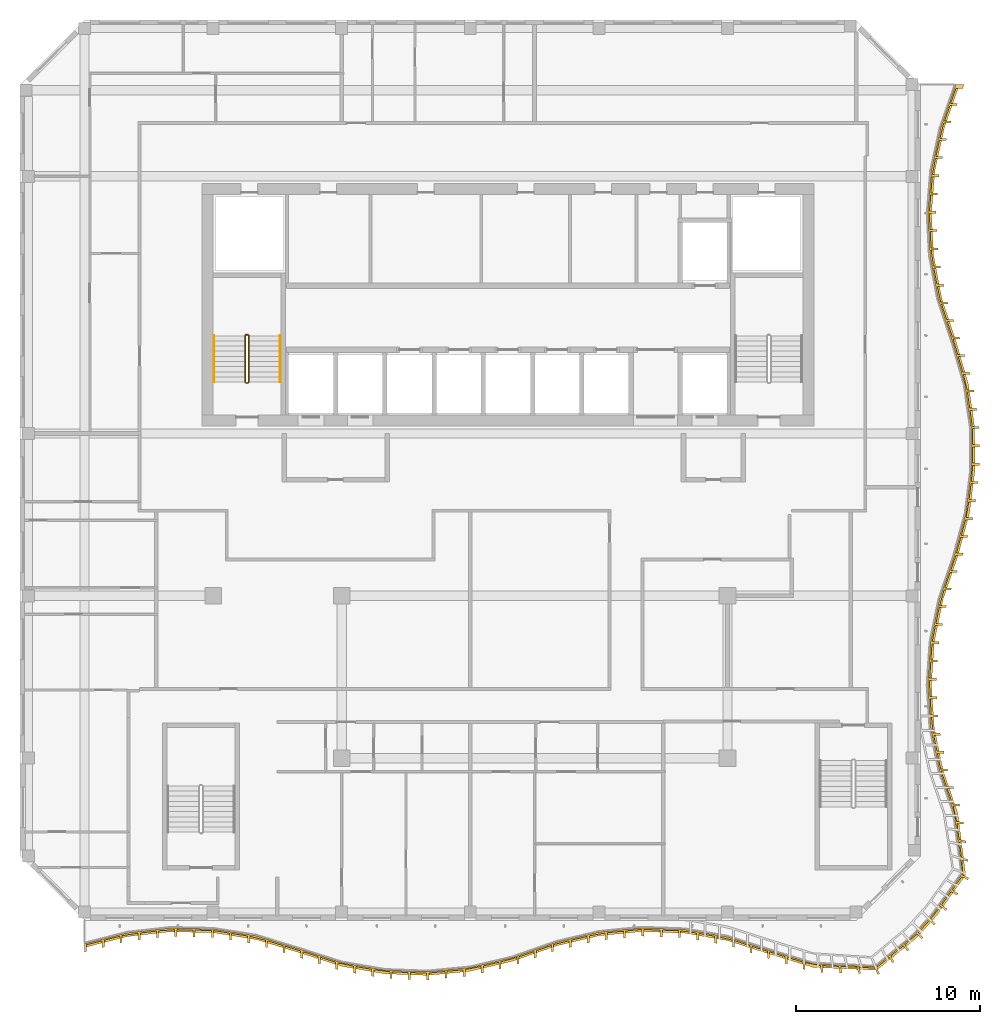
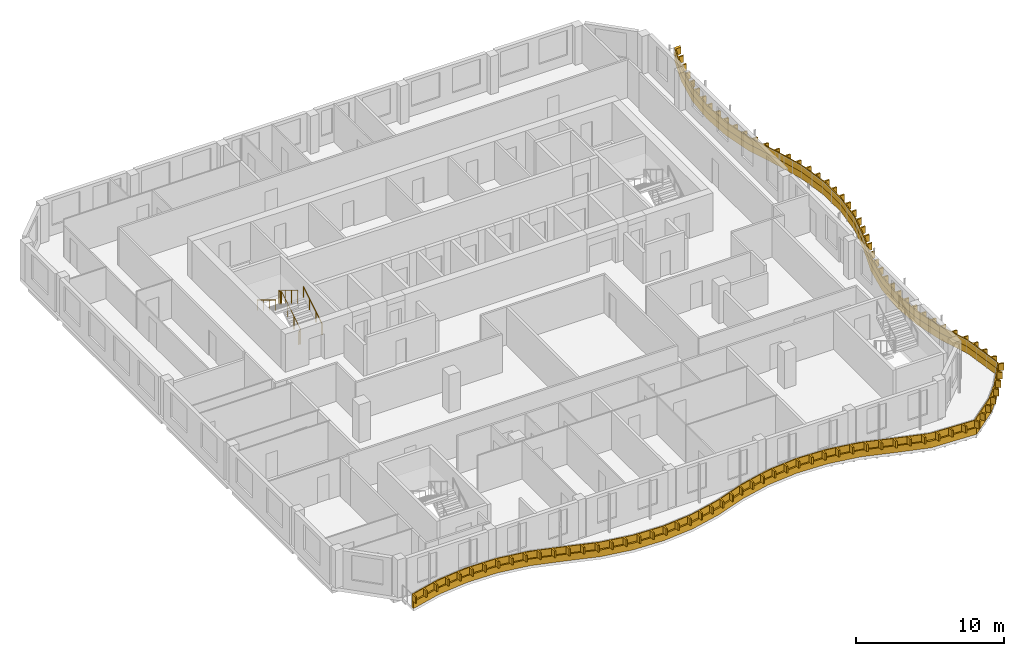
# One storey, part 13 of 16: 3 railings, 2 shading devices.
"""IFC4 building model written with IfcOpenShell, lengths in metres."""

from ifc_helpers import new_model, si_unit, direction, frame, origin, origin_2d, place, context, subcontext, project, spatial, polyline, circle, outline, extrude, source, transform, mapped, material, layer, layer_set, type_object, element, save


model = new_model("IFC4")

# Units and contexts
model_context = context("Model", 3, precision=1e-05, world=origin(), true_north=direction((0.0, 1.0)))
body_context = subcontext(model_context, "Body", "Model", "MODEL_VIEW")
ifc_project = project(units=[si_unit("LENGTHUNIT", "METRE"), si_unit("AREAUNIT", "SQUARE_METRE"), si_unit("VOLUMEUNIT", "CUBIC_METRE"), si_unit("PLANEANGLEUNIT", "RADIAN"), si_unit("MASSUNIT", "GRAM", prefix="KILO")], contexts=[model_context])

# Site, building, storey
site_placement = place(None, origin())
site = spatial("IfcSite", under=ifc_project, at=site_placement, CompositionType="ELEMENT")
building_placement = place(site_placement, origin())
building = spatial("IfcBuilding", under=site, at=building_placement, Name="Kilnfold Tower and Market Hall", CompositionType="ELEMENT")
storey_placement = place(building_placement, frame((0.0, 0.0, 284.0)))
storey = spatial("IfcBuildingStorey", under=building, at=storey_placement, Name="L70", CompositionType="ELEMENT", Elevation=284.0)

# Railings
ifc_material_1 = material(Name="Stainless steel 316", Category="steel")
railing_type_1 = type_object("IfcRailingType", Name="CORE STAIR GUARD 1100", PredefinedType="GUARDRAIL", material=ifc_material_1)
railing_1_placement = place(storey_placement, frame((-13.199951171875, 10.75, 0.0)))
element("IfcRailing", 1, at=railing_1_placement, inside=storey, type_object=railing_type_1, Name="L70 ST1 stair guard 1", PredefinedType="GUARDRAIL", context=body_context, shape_type="SweptSolid", body=[
    extrude(circle(Radius=0.02392578125, at=origin_2d()), frame((0.0, 0.0, 1.076171875), z_axis=(1.0, 0.0, 0.0), x_axis=(0.0, 1.0, 0.0)), (0.0, 0.0, 1.0), 0.099853515625),
    extrude(circle(Radius=0.02392578125, at=origin_2d()), frame((0.099853515625, 0.0, 1.076171875), z_axis=(0.271895245746, 0.271895245746, 0.923117517265), x_axis=(-0.707106781187, 0.707106781187, 0.0)), (0.0, 0.0, 1.0), 0.18408203125),
    extrude(circle(Radius=0.02392578125, at=origin_2d()), frame((0.14990234375, 0.050048828125, 1.24609375), z_axis=(0.0, 0.85478489116, 0.518982456201), x_axis=(-1.0, 0.0, 0.0)), (0.0, 0.0, 1.0), 2.9482421875),
    extrude(circle(Radius=0.02392578125, at=origin_2d()), frame((0.14990234375, 2.570068359375, 2.77587890625), z_axis=(-0.707106781187, 0.707106781187, 0.0), x_axis=(-0.707106781187, -0.707106781187, 0.0)), (0.0, 0.0, 1.0), 0.07080078125),
    extrude(circle(Radius=0.02392578125, at=origin_2d()), frame((0.099853515625, 2.6201171875, 2.77587890625), z_axis=(-1.0, 0.0, 0.0), x_axis=(0.0, -1.0, 0.0)), (0.0, 0.0, 1.0), 0.099853515625),
    extrude(circle(Radius=0.02392578125, at=origin_2d()), frame((0.0, 2.6201171875, 2.77587890625), z_axis=(-0.271562723297, -0.271562723297, 0.923313259209), x_axis=(0.707106781187, -0.707106781187, 0.0)), (0.0, 0.0, 1.0), 0.184326171875),
    extrude(circle(Radius=0.02392578125, at=origin_2d()), frame((-0.050048828125, 2.570068359375, 2.9462890625), z_axis=(0.0, -0.854821627497, 0.518921945155), x_axis=(1.0, 0.0, 0.0)), (0.0, 0.0, 1.0), 2.947998046875),
    extrude(circle(Radius=0.02099609375, at=origin_2d()), origin(), (0.0, 0.0, 1.0), 1.052001953125),
    extrude(circle(Radius=0.02099609375, at=origin_2d()), frame((0.099853515625, 0.0, 0.0)), (0.0, 0.0, 1.0), 1.052001953125),
    extrude(circle(Radius=0.02099609375, at=origin_2d()), frame((0.14990234375, 0.050048828125, 0.169921875)), (0.0, 0.0, 1.0), 1.052001953125),
    extrude(circle(Radius=0.02099609375, at=origin_2d()), frame((0.14990234375, 0.89013671875, 0.679931640625)), (0.0, 0.0, 1.0), 1.052001953125),
    extrude(circle(Radius=0.02099609375, at=origin_2d()), frame((0.14990234375, 1.72998046875, 1.18994140625)), (0.0, 0.0, 1.0), 1.052001953125),
    extrude(circle(Radius=0.02099609375, at=origin_2d()), frame((0.14990234375, 2.570068359375, 1.699951171875)), (0.0, 0.0, 1.0), 1.052001953125),
    extrude(circle(Radius=0.02099609375, at=origin_2d()), frame((0.099853515625, 2.6201171875, 1.699951171875)), (0.0, 0.0, 1.0), 1.052001953125),
    extrude(circle(Radius=0.02099609375, at=origin_2d()), frame((0.0, 2.6201171875, 1.699951171875)), (0.0, 0.0, 1.0), 1.052001953125),
    extrude(circle(Radius=0.02099609375, at=origin_2d()), frame((-0.050048828125, 2.570068359375, 1.8701171875)), (0.0, 0.0, 1.0), 1.052001953125),
    extrude(circle(Radius=0.02099609375, at=origin_2d()), frame((-0.050048828125, 1.72998046875, 2.380126953125)), (0.0, 0.0, 1.0), 1.052001953125),
    extrude(circle(Radius=0.02099609375, at=origin_2d()), frame((-0.050048828125, 0.89013671875, 2.889892578125)), (0.0, 0.0, 1.0), 1.052001953125),
    extrude(circle(Radius=0.02099609375, at=origin_2d()), frame((-0.050048828125, 0.050048828125, 3.39990234375)), (0.0, 0.0, 1.0), 1.052001953125),
])
ifc_material_2 = material(Name="Stainless steel 316", Category="steel")
railing_type_2 = type_object("IfcRailingType", Name="CORE STAIR HANDRAIL 900", PredefinedType="HANDRAIL", material=ifc_material_2)
railing_2_placement = place(storey_placement, frame((-11.35009765625, 10.800048828125, 0.169921875)))
element("IfcRailing", 2, at=railing_2_placement, inside=storey, type_object=railing_type_2, Name="L70 ST1 stair handrail 1", PredefinedType="HANDRAIL", context=body_context, shape_type="SweptSolid", body=[
    extrude(circle(Radius=0.02392578125, at=origin_2d()), frame((0.0, 0.0, 0.8759765625), z_axis=(0.0, 0.85478489116, 0.518982456201), x_axis=(-1.0, 0.0, 0.0)), (0.0, 0.0, 1.0), 2.9482421875),
    extrude(circle(Radius=0.02099609375, at=origin_2d()), origin(), (0.0, 0.0, 1.0), 0.851806640625),
    extrude(circle(Radius=0.02099609375, at=origin_2d()), frame((0.0, 0.840087890625, 0.510009765625)), (0.0, 0.0, 1.0), 0.851806640625),
    extrude(circle(Radius=0.02099609375, at=origin_2d()), frame((0.0, 1.679931640625, 1.02001953125)), (0.0, 0.0, 1.0), 0.851806640625),
    extrude(circle(Radius=0.02099609375, at=origin_2d()), frame((0.0, 2.52001953125, 1.530029296875)), (0.0, 0.0, 1.0), 0.851806640625),
])
railing_3_placement = place(storey_placement, frame((-14.949951171875, 13.320068359375, 1.8701171875)))
element("IfcRailing", 3, at=railing_3_placement, inside=storey, type_object=railing_type_2, Name="L70 ST1 stair handrail 2", PredefinedType="HANDRAIL", context=body_context, shape_type="SweptSolid", body=[
    extrude(circle(Radius=0.02392578125, at=origin_2d()), frame((0.0, 0.0, 0.8759765625), z_axis=(0.0, -0.854821627497, 0.518921945155), x_axis=(1.0, 0.0, 0.0)), (0.0, 0.0, 1.0), 2.947998046875),
    extrude(circle(Radius=0.02099609375, at=origin_2d()), origin(), (0.0, 0.0, 1.0), 0.851806640625),
    extrude(circle(Radius=0.02099609375, at=origin_2d()), frame((0.0, -0.840087890625, 0.510009765625)), (0.0, 0.0, 1.0), 0.851806640625),
    extrude(circle(Radius=0.02099609375, at=origin_2d()), frame((0.0, -1.679931640625, 1.019775390625)), (0.0, 0.0, 1.0), 0.851806640625),
    extrude(circle(Radius=0.02099609375, at=origin_2d()), frame((0.0, -2.52001953125, 1.52978515625)), (0.0, 0.0, 1.0), 0.851806640625),
])

# Shading devices
ifc_material_3 = material(Name="Precast concrete C50/60", Category="concrete")
ifc_layer_1 = layer(ifc_material_3, 0.550048828125)
ifc_layer_set_1 = layer_set([ifc_layer_1], Name="Precast concrete C50/60")
shading_device_type_1 = type_object("IfcShadingDeviceType", Name="BALCONY UPSTAND 550", PredefinedType="USERDEFINED", material=ifc_layer_set_1)
shared_shape_1 = source(origin(), body_context, "Body", "SweptSolid", [
    extrude(outline(polyline([(-22.0, -19.97314453125), (-19.666748046875, -19.38037109375), (-17.333251953125, -19.117431640625), (-15.0, -19.16943359375), (-12.666748046875, -19.539306640625), (-10.333251953125, -20.24853515625), (-8.0, -20.997802734375), (-5.666748046875, -21.40478515625), (-3.333251953125, -21.492431640625), (-1.0, -21.265869140625), (1.333251953125, -20.7119140625), (3.666748046875, -19.89208984375), (6.0, -19.33642578125), (8.333251953125, -19.10791015625), (10.666748046875, -19.19384765625), (13.0, -19.59912109375), (15.333251953125, -20.346435546875), (17.666748046875, -21.0576171875), (21.12109375, -21.206298828125), (23.287841796875, -19.45458984375), (24.3935546875, -18.226806640625), (25.96533203125, -16.021240234375), (25.535400390625, -12.666748046875), (24.734375, -10.333251953125), (24.255859375, -8.0), (24.10009765625, -5.666748046875), (24.25830078125, -3.333251953125), (24.7392578125, -1.0), (25.54150390625, 1.333251953125), (26.171875, 3.666748046875), (26.469482421875, 6.0), (26.451416015625, 8.333251953125), (26.116455078125, 10.666748046875), (25.44580078125, 13.0), (24.666259765625, 15.333251953125), (24.2236328125, 17.666748046875), (24.10205078125, 20.0), (24.294189453125, 22.333251953125), (24.8115234375, 24.666748046875), (25.626953125, 27.0), (25.427001953125, 27.0), (24.611572265625, 24.666748046875), (24.09423828125, 22.333251953125), (23.902099609375, 20.0), (24.023681640625, 17.666748046875), (24.46630859375, 15.333251953125), (25.24560546875, 13.0), (25.91650390625, 10.666748046875), (26.251220703125, 8.333251953125), (26.269287109375, 6.0), (25.971923828125, 3.666748046875), (25.341552734375, 1.333251953125), (24.539306640625, -1.0), (24.05810546875, -3.333251953125), (23.89990234375, -5.666748046875), (24.055908203125, -8.0), (24.5341796875, -10.333251953125), (25.33544921875, -12.666748046875), (25.780517578125, -15.944580078125), (24.252197265625, -18.08544921875), (23.146484375, -19.31298828125), (21.04443359375, -21.021484375), (17.666748046875, -20.857666015625), (15.333251953125, -20.146484375), (13.0, -19.399169921875), (10.666748046875, -18.993896484375), (8.333251953125, -18.907958984375), (6.0, -19.136474609375), (3.666748046875, -19.692138671875), (1.333251953125, -20.511962890625), (-1.0, -21.06591796875), (-3.333251953125, -21.29248046875), (-5.666748046875, -21.20458984375), (-8.0, -20.797607421875), (-10.333251953125, -20.048583984375), (-12.666748046875, -19.33935546875), (-15.0, -18.969482421875), (-17.333251953125, -18.91748046875), (-19.666748046875, -19.180419921875), (-22.0, -19.773193359375), (-22.0, -19.97314453125)])), origin(), (0.0, 0.0, 1.0), 0.550048828125),
])
shading_device_1_placement = place(storey_placement, origin())
element("IfcShadingDevice", 4, at=shading_device_1_placement, inside=storey, type_object=shading_device_type_1, Name="Balcony fascia L70", ObjectType="FASCIA", PredefinedType="USERDEFINED", context=body_context, shape_type="MappedRepresentation", body=[
    mapped(shared_shape_1, transform((0.0, 0.0, 0.0))),
])
ifc_material_4 = material(Name="Bronze anodised aluminium", Category="aluminium")
ifc_layer_2 = layer(ifc_material_4, 0.550048828125)
ifc_layer_set_2 = layer_set([ifc_layer_2], Name="Bronze anodised aluminium")
shading_device_type_2 = type_object("IfcShadingDeviceType", Name="BRONZE SLAT FASCIA 550", PredefinedType="USERDEFINED", material=ifc_layer_set_2)
shared_shape_2 = source(origin(), body_context, "Body", "SweptSolid", [
    extrude(outline(polyline([(-22.0, -20.22314453125), (-22.0, -19.773193359375), (-19.666748046875, -19.180419921875), (-17.333251953125, -18.91748046875), (-15.0, -18.969482421875), (-12.666748046875, -19.33935546875), (-10.333251953125, -20.048583984375), (-8.0, -20.797607421875), (-5.666748046875, -21.20458984375), (-3.333251953125, -21.29248046875), (-1.0, -21.06591796875), (1.333251953125, -20.511962890625), (3.666748046875, -19.692138671875), (6.0, -19.136474609375), (8.333251953125, -18.907958984375), (10.666748046875, -18.993896484375), (13.0, -19.399169921875), (15.333251953125, -20.146484375), (17.666748046875, -20.857666015625), (21.04443359375, -21.021484375), (23.146484375, -19.31298828125), (24.252197265625, -18.08544921875), (25.780517578125, -15.944580078125), (25.33544921875, -12.666748046875), (24.5341796875, -10.333251953125), (24.055908203125, -8.0), (23.89990234375, -5.666748046875), (24.05810546875, -3.333251953125), (24.539306640625, -1.0), (25.341552734375, 1.333251953125), (25.971923828125, 3.666748046875), (26.269287109375, 6.0), (26.251220703125, 8.333251953125), (25.91650390625, 10.666748046875), (25.24560546875, 13.0), (24.46630859375, 15.333251953125), (24.023681640625, 17.666748046875), (23.902099609375, 20.0), (24.09423828125, 22.333251953125), (24.611572265625, 24.666748046875), (25.427001953125, 27.0), (25.876953125, 27.0), (25.80419921875, 26.79150390625), (25.43408203125, 26.79150390625), (25.143798828125, 25.960693359375), (25.513916015625, 25.960693359375), (25.47412109375, 25.84765625), (25.104248046875, 25.84765625), (24.81396484375, 25.016845703125), (25.183837890625, 25.016845703125), (25.144287109375, 24.903564453125), (24.7744140625, 24.903564453125), (24.555419921875, 24.052490234375), (24.92529296875, 24.052490234375), (24.8994140625, 23.935302734375), (24.529541015625, 23.935302734375), (24.339111328125, 23.076171875), (24.708984375, 23.076171875), (24.68310546875, 22.958984375), (24.31298828125, 22.958984375), (24.15478515625, 22.094970703125), (24.524658203125, 22.094970703125), (24.514892578125, 21.975341796875), (24.144775390625, 21.975341796875), (24.072509765625, 21.098388671875), (24.4423828125, 21.098388671875), (24.4326171875, 20.978759765625), (24.062744140625, 20.978759765625), (23.990478515625, 20.101806640625), (24.3603515625, 20.101806640625), (24.352783203125, 19.982177734375), (23.98291015625, 19.982177734375), (24.02880859375, 19.103515625), (24.398681640625, 19.103515625), (24.405029296875, 18.9833984375), (24.034912109375, 18.9833984375), (24.080810546875, 18.104736328125), (24.450927734375, 18.104736328125), (24.45703125, 17.98486328125), (24.087158203125, 17.98486328125), (24.208251953125, 17.114990234375), (24.578369140625, 17.114990234375), (24.6005859375, 16.997314453125), (24.230712890625, 16.997314453125), (24.394775390625, 16.1328125), (24.7646484375, 16.1328125), (24.787109375, 16.014892578125), (24.4169921875, 16.014892578125), (24.60546875, 15.156494140625), (24.975341796875, 15.156494140625), (25.013427734375, 15.042724609375), (24.643310546875, 15.042724609375), (24.922119140625, 14.2080078125), (25.292236328125, 14.2080078125), (25.330078125, 14.09423828125), (24.960205078125, 14.09423828125), (25.239013671875, 13.259521484375), (25.60888671875, 13.259521484375), (25.64697265625, 13.145751953125), (25.277099609375, 13.145751953125), (25.5263671875, 12.302001953125), (25.896484375, 12.302001953125), (25.929443359375, 12.1865234375), (25.5595703125, 12.1865234375), (25.802734375, 11.3408203125), (26.172607421875, 11.3408203125), (26.205810546875, 11.2255859375), (25.835693359375, 11.2255859375), (26.038818359375, 10.37109375), (26.408935546875, 10.37109375), (26.42578125, 10.25244140625), (26.055908203125, 10.25244140625), (26.180908203125, 9.38134765625), (26.55078125, 9.38134765625), (26.568115234375, 9.262451171875), (26.197998046875, 9.262451171875), (26.322998046875, 8.3916015625), (26.693115234375, 8.3916015625), (26.701416015625, 8.333251953125), (26.701904296875, 8.272216796875), (26.331787109375, 8.272216796875), (26.338623046875, 7.39208984375), (26.70849609375, 7.39208984375), (26.70947265625, 7.272216796875), (26.339599609375, 7.272216796875), (26.346435546875, 6.39208984375), (26.71630859375, 6.39208984375), (26.71728515625, 6.272216796875), (26.347412109375, 6.272216796875), (26.2724609375, 5.39697265625), (26.642578125, 5.39697265625), (26.627197265625, 5.278076171875), (26.25732421875, 5.278076171875), (26.14599609375, 4.405029296875), (26.51611328125, 4.405029296875), (26.5009765625, 4.285888671875), (26.130859375, 4.285888671875), (25.985107421875, 3.419921875), (26.355224609375, 3.419921875), (26.323974609375, 3.303955078125), (25.953857421875, 3.303955078125), (25.724365234375, 2.45458984375), (26.094482421875, 2.45458984375), (26.063232421875, 2.338623046875), (25.693115234375, 2.338623046875), (25.463623046875, 1.489013671875), (25.833740234375, 1.489013671875), (25.802490234375, 1.373291015625), (25.432373046875, 1.373291015625), (25.14892578125, 0.540283203125), (25.518798828125, 0.540283203125), (25.479736328125, 0.4267578125), (25.10986328125, 0.4267578125), (24.82373046875, -0.405517578125), (25.193603515625, -0.405517578125), (25.154541015625, -0.518798828125), (24.78466796875, -0.518798828125), (24.544189453125, -1.363525390625), (24.914306640625, -1.363525390625), (24.889892578125, -1.481201171875), (24.52001953125, -1.481201171875), (24.34228515625, -2.343017578125), (24.71240234375, -2.343017578125), (24.68798828125, -2.46044921875), (24.318115234375, -2.46044921875), (24.140380859375, -3.322509765625), (24.510498046875, -3.322509765625), (24.500732421875, -3.44189453125), (24.130859375, -3.44189453125), (24.0712890625, -4.31982421875), (24.44140625, -4.31982421875), (24.43310546875, -4.439697265625), (24.063232421875, -4.439697265625), (24.003662109375, -5.317626953125), (24.373779296875, -5.317626953125), (24.365478515625, -5.437255859375), (23.99560546875, -5.437255859375), (24.023193359375, -6.3154296875), (24.393310546875, -6.3154296875), (24.4013671875, -6.43505859375), (24.03125, -6.43505859375), (24.08984375, -7.313232421875), (24.4599609375, -7.313232421875), (24.468017578125, -7.432861328125), (24.097900390625, -7.432861328125), (24.198486328125, -8.305419921875), (24.568359375, -8.305419921875), (24.592529296875, -8.4228515625), (24.222412109375, -8.4228515625), (24.3994140625, -9.284912109375), (24.769287109375, -9.284912109375), (24.79345703125, -9.40234375), (24.42333984375, -9.40234375), (24.60009765625, -10.264404296875), (24.97021484375, -10.264404296875), (25.00048828125, -10.38037109375), (24.630615234375, -10.38037109375), (24.916259765625, -11.212646484375), (25.2861328125, -11.212646484375), (25.3251953125, -11.326171875), (24.955078125, -11.326171875), (25.240966796875, -12.158447265625), (25.611083984375, -12.158447265625), (25.64990234375, -12.27197265625), (25.280029296875, -12.27197265625), (25.474609375, -13.119384765625), (25.841796875, -13.138671875), (25.856201171875, -13.260986328125), (25.48974609375, -13.236572265625), (25.60302734375, -14.09716796875), (25.963134765625, -14.158935546875), (25.977783203125, -14.28125), (25.61865234375, -14.214599609375), (25.7333984375, -15.075439453125), (26.084716796875, -15.178955078125), (26.09912109375, -15.301513671875), (25.7490234375, -15.19287109375), (25.80810546875, -16.039794921875), (26.147705078125, -16.18505859375), (26.07568359375, -16.286376953125), (25.7392578125, -16.135498046875), (25.235595703125, -16.838623046875), (25.547607421875, -17.029296875), (25.4755859375, -17.130615234375), (25.167236328125, -16.9345703125), (24.66552734375, -17.638916015625), (24.947021484375, -17.873779296875), (24.875, -17.97509765625), (24.597412109375, -17.735107421875), (24.0595703125, -18.418701171875), (24.3212890625, -18.680419921875), (24.240966796875, -18.76953125), (23.979248046875, -18.5078125), (23.390380859375, -19.16162109375), (23.65185546875, -19.42333984375), (23.571533203125, -19.5126953125), (23.31005859375, -19.2509765625), (22.65185546875, -19.814453125), (22.8837890625, -20.09814453125), (22.786865234375, -20.17578125), (22.560302734375, -19.888427734375), (21.88818359375, -20.43310546875), (22.076904296875, -20.746337890625), (21.97998046875, -20.82421875), (21.796630859375, -20.507568359375), (21.12548828125, -21.05419921875), (21.270263671875, -21.394287109375), (21.216796875, -21.4375), (21.16162109375, -21.435302734375), (21.022216796875, -21.093017578125), (20.154052734375, -21.05126953125), (20.258056640625, -21.40234375), (20.134765625, -21.39794921875), (20.035888671875, -21.045654296875), (19.16845703125, -21.0048828125), (19.231201171875, -21.364990234375), (19.10791015625, -21.3603515625), (19.05029296875, -20.99951171875), (18.18310546875, -20.96044921875), (18.20458984375, -21.327392578125), (18.081298828125, -21.32275390625), (18.064697265625, -20.955078125), (17.211181640625, -20.798828125), (17.211181640625, -21.168701171875), (17.096435546875, -21.1337890625), (17.096435546875, -20.763916015625), (16.254638671875, -20.50732421875), (16.254638671875, -20.877197265625), (16.139892578125, -20.84228515625), (16.139892578125, -20.472412109375), (15.29833984375, -20.215087890625), (15.29833984375, -20.585205078125), (15.18408203125, -20.548583984375), (15.18408203125, -20.1787109375), (14.345947265625, -19.91015625), (14.345947265625, -20.2802734375), (14.231689453125, -20.24365234375), (14.231689453125, -19.87353515625), (13.3935546875, -19.60498046875), (13.3935546875, -19.97509765625), (13.279296875, -19.9384765625), (13.279296875, -19.568603515625), (12.421875, -19.378662109375), (12.421875, -19.748779296875), (12.3037109375, -19.728271484375), (12.3037109375, -19.358154296875), (11.436767578125, -19.20751953125), (11.436767578125, -19.57763671875), (11.318359375, -19.55712890625), (11.318359375, -19.18701171875), (10.4482421875, -19.06591796875), (10.4482421875, -19.435791015625), (10.328369140625, -19.431396484375), (10.328369140625, -19.061279296875), (9.448974609375, -19.029052734375), (9.448974609375, -19.399169921875), (9.3291015625, -19.394775390625), (9.3291015625, -19.024658203125), (8.44970703125, -18.9921875), (8.44970703125, -19.3623046875), (8.329833984375, -19.3583984375), (8.329833984375, -18.98828125), (7.4541015625, -19.07421875), (7.4541015625, -19.444091796875), (7.33447265625, -19.455810546875), (7.33447265625, -19.085693359375), (6.458740234375, -19.17138671875), (6.458740234375, -19.54150390625), (6.33935546875, -19.55322265625), (6.33935546875, -19.18310546875), (5.4755859375, -19.34130859375), (5.4755859375, -19.711181640625), (5.35888671875, -19.739013671875), (5.35888671875, -19.369140625), (4.502685546875, -19.572998046875), (4.502685546875, -19.943115234375), (4.385986328125, -19.970703125), (4.385986328125, -19.600830078125), (3.5341796875, -19.81884765625), (3.5341796875, -20.188720703125), (3.4208984375, -20.228515625), (3.4208984375, -19.8583984375), (2.5908203125, -20.150146484375), (2.5908203125, -20.520263671875), (2.477294921875, -20.56005859375), (2.477294921875, -20.18994140625), (1.647216796875, -20.481689453125), (1.647216796875, -20.8515625), (1.533935546875, -20.891357421875), (1.533935546875, -20.521484375), (0.68408203125, -20.74609375), (0.68408203125, -21.115966796875), (0.5673828125, -21.143798828125), (0.5673828125, -20.773681640625), (-0.288818359375, -20.97705078125), (-0.288818359375, -21.346923828125), (-0.40576171875, -21.374755859375), (-0.40576171875, -21.004638671875), (-1.267822265625, -21.171875), (-1.267822265625, -21.541748046875), (-1.387451171875, -21.553466796875), (-1.387451171875, -21.183349609375), (-2.26318359375, -21.2685546875), (-2.26318359375, -21.638427734375), (-2.3828125, -21.650146484375), (-2.3828125, -21.280029296875), (-3.258544921875, -21.364990234375), (-3.258544921875, -21.735107421875), (-3.333251953125, -21.742431640625), (-3.378173828125, -21.74072265625), (-3.378173828125, -21.37060546875), (-4.257568359375, -21.337646484375), (-4.257568359375, -21.707763671875), (-4.37744140625, -21.703125), (-4.37744140625, -21.333251953125), (-5.2568359375, -21.300048828125), (-5.2568359375, -21.670166015625), (-5.376708984375, -21.66552734375), (-5.376708984375, -21.295654296875), (-6.247802734375, -21.183349609375), (-6.247802734375, -21.55322265625), (-6.365966796875, -21.53271484375), (-6.365966796875, -21.16259765625), (-7.23291015625, -21.011474609375), (-7.23291015625, -21.381591796875), (-7.35107421875, -21.36083984375), (-7.35107421875, -20.990966796875), (-8.210693359375, -20.81005859375), (-8.210693359375, -21.179931640625), (-8.324951171875, -21.143310546875), (-8.324951171875, -20.7734375), (-9.162841796875, -20.50439453125), (-9.162841796875, -20.87451171875), (-9.277099609375, -20.837646484375), (-9.277099609375, -20.4677734375), (-10.114990234375, -20.19873046875), (-10.114990234375, -20.568603515625), (-10.229248046875, -20.531982421875), (-10.229248046875, -20.162109375), (-11.07080078125, -19.904296875), (-11.07080078125, -20.2744140625), (-11.185546875, -20.239501953125), (-11.185546875, -19.869384765625), (-12.027587890625, -19.613525390625), (-12.027587890625, -19.983642578125), (-12.142333984375, -19.94873046875), (-12.142333984375, -19.57861328125), (-12.994384765625, -19.3671875), (-12.994384765625, -19.7373046875), (-13.113037109375, -19.718505859375), (-13.113037109375, -19.3486328125), (-13.982177734375, -19.210693359375), (-13.982177734375, -19.580810546875), (-14.1005859375, -19.56201171875), (-14.1005859375, -19.19189453125), (-14.9697265625, -19.05419921875), (-14.9697265625, -19.42431640625), (-15.08935546875, -19.41748046875), (-15.08935546875, -19.047607421875), (-15.96923828125, -19.02783203125), (-15.96923828125, -19.39794921875), (-16.089111328125, -19.395263671875), (-16.089111328125, -19.025146484375), (-16.968994140625, -19.005615234375), (-16.968994140625, -19.37548828125), (-17.089111328125, -19.372802734375), (-17.089111328125, -19.0029296875), (-17.96484375, -19.068603515625), (-17.96484375, -19.438720703125), (-18.083984375, -19.451904296875), (-18.083984375, -19.08203125), (-18.95849609375, -19.180419921875), (-18.95849609375, -19.550537109375), (-19.077880859375, -19.56396484375), (-19.077880859375, -19.194091796875), (-19.9453125, -19.3310546875), (-19.9453125, -19.701171875), (-20.0615234375, -19.730712890625), (-20.0615234375, -19.360595703125), (-20.91455078125, -19.577392578125), (-20.91455078125, -19.947265625), (-21.03076171875, -19.976806640625), (-21.03076171875, -19.60693359375), (-21.8837890625, -19.823486328125), (-21.8837890625, -20.193603515625), (-22.0, -20.22314453125)])), origin(), (0.0, 0.0, 1.0), 0.550048828125),
])
shading_device_2_placement = place(storey_placement, frame((0.0, 0.0, 0.550048828125)))
element("IfcShadingDevice", 5, at=shading_device_2_placement, inside=storey, type_object=shading_device_type_2, Name="Balcony slat fascia L70", ObjectType="SLAT", PredefinedType="USERDEFINED", context=body_context, shape_type="MappedRepresentation", body=[
    mapped(shared_shape_2, transform((0.0, 0.0, 0.0))),
])

save(model, "model.ifc")
